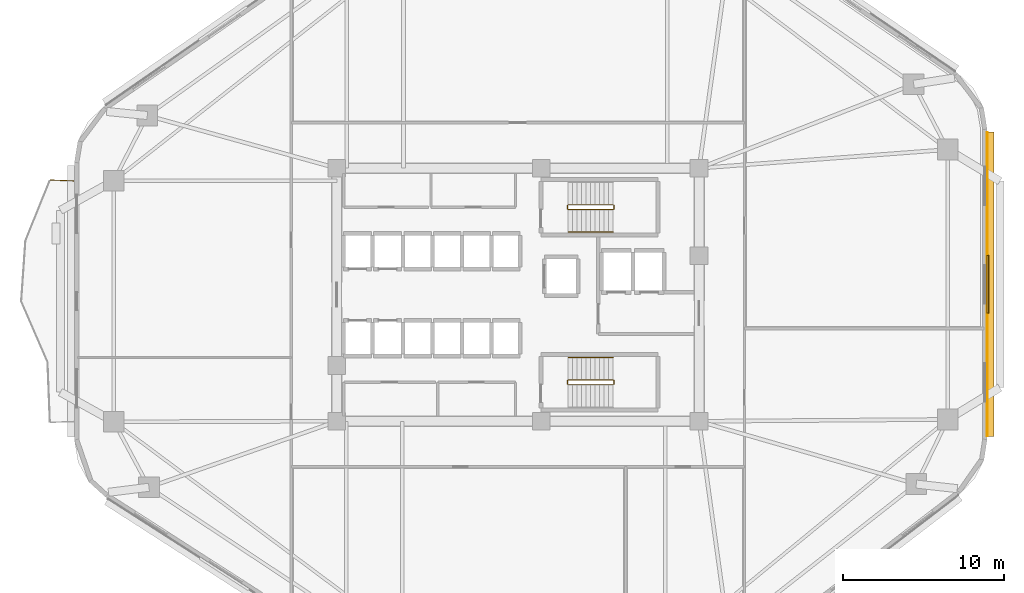
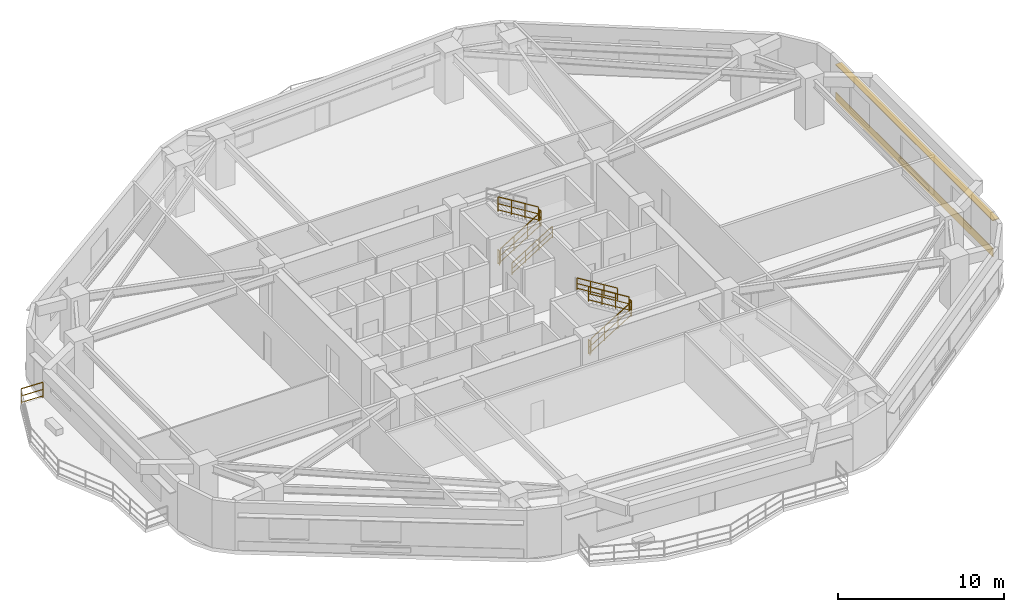
# One storey, part 8 of 9: 11 railings, 2 shading devices, 1 covering.
"""IFC4 building model written with IfcOpenShell, lengths in metres."""

from ifc_helpers import new_model, si_unit, direction, frame, origin, origin_2d, place, context, subcontext, project, spatial, rectangle, extrude, material, layer, layer_set, type_object, element, save


model = new_model("IFC4")

# Units and contexts
model_context = context("Model", 3, precision=1e-05, world=origin(), true_north=direction((0.0, 1.0)))
body_context = subcontext(model_context, "Body", "Model", "MODEL_VIEW")
ifc_project = project(units=[si_unit("LENGTHUNIT", "METRE"), si_unit("AREAUNIT", "SQUARE_METRE"), si_unit("VOLUMEUNIT", "CUBIC_METRE"), si_unit("PLANEANGLEUNIT", "RADIAN"), si_unit("MASSUNIT", "GRAM", prefix="KILO")], contexts=[model_context])

# Site, building, storey
site_placement = place(None, origin())
site = spatial("IfcSite", under=ifc_project, at=site_placement, CompositionType="ELEMENT")
building_placement = place(site_placement, origin())
building = spatial("IfcBuilding", under=site, at=building_placement, Name="Zulverin Broadcast Headquarters", CompositionType="ELEMENT")
storey_placement = place(building_placement, frame((0.0, 0.0, 74.39990234375)))
storey = spatial("IfcBuildingStorey", under=building, at=storey_placement, Name="L18", CompositionType="ELEMENT", Elevation=74.39990234375)

# Covering
ifc_material_1 = material(Name="Brushed pale-aluminium rainscreen cladding", Category="aluminium")
ifc_layer_1 = layer(ifc_material_1, 0.0400390625, Name="Brushed pale-aluminium rainscreen cladding", Category="aluminium")
ifc_layer_set_1 = layer_set([ifc_layer_1], Name="Brushed pale-aluminium rainscreen cladding")
covering_type = type_object("IfcCoveringType", Name="COV-CLAD-PALE", PredefinedType="CLADDING", material=ifc_layer_set_1)
covering_placement = place(storey_placement, frame((66.2099609375, 25.848876953125, 0.05517578125), z_axis=(0.0, 0.0, 1.0), x_axis=(0.0, 1.0, 0.0)))
element("IfcCovering", 1, at=covering_placement, inside=storey, type_object=covering_type, Name="L18 Brushed Pale-Aluminium Spandrel Cladding 3", PredefinedType="CLADDING", context=body_context, shape_type="SweptSolid", body=[
    extrude(rectangle(XDim=18.93115234375, YDim=0.0400390625, at=origin_2d()), origin(), (0.0, 0.0, 1.0), 0.64990234375),
])

# Railings
ifc_material_2 = material(Name="Brushed stainless steel & laminated glass balustrade", Category="steel")
railing_type_1 = type_object("IfcRailingType", Name="RL-GUARD-1150", PredefinedType="GUARDRAIL", material=ifc_material_2)
railing_1_placement = place(storey_placement, frame((9.360107421875, 32.284423828125, 0.0)))
element("IfcRailing", 2, at=railing_1_placement, inside=storey, type_object=railing_type_1, Name="L18 Vertical-Forest Balcony Guardrail BAL_W Segment 01", PredefinedType="GUARDRAIL", context=body_context, shape_type="SweptSolid", body=[
    extrude(rectangle(XDim=0.048095703125, YDim=0.048095703125, at=origin_2d()), frame((0.0, 0.0, 1.1259765625), z_axis=(-0.999181155166, 0.040460093435, 0.0), x_axis=(-0.040460093435, -0.999181155166, 0.0)), (0.0, 0.0, 1.0), 1.46630859375),
    extrude(rectangle(XDim=0.0419921875, YDim=0.0419921875, at=origin_2d()), frame((0.0, 0.0, 0.597900390625), z_axis=(-0.999181155166, 0.040460093435, 0.0), x_axis=(-0.040460093435, -0.999181155166, 0.0)), (0.0, 0.0, 1.0), 1.46630859375),
    extrude(rectangle(XDim=0.0419921875, YDim=0.0419921875, at=origin_2d()), frame((0.0, 0.0, 0.1201171875), z_axis=(-0.999181155166, 0.040460093435, 0.0), x_axis=(-0.040460093435, -0.999181155166, 0.0)), (0.0, 0.0, 1.0), 1.46630859375),
    extrude(rectangle(XDim=0.0419921875, YDim=0.0419921875, at=origin_2d()), origin(), (0.0, 0.0, 1.0), 1.101806640625),
    extrude(rectangle(XDim=0.0419921875, YDim=0.0419921875, at=origin_2d()), frame((-1.465087890625, 0.059326171875, 0.0)), (0.0, 0.0, 1.0), 1.101806640625),
])
ifc_material_3 = material(Name="Painted galvanized steel tubular guardrail S355JR", Category="steel")
railing_type_2 = type_object("IfcRailingType", Name="RL-ST-GUARD", PredefinedType="GUARDRAIL", material=ifc_material_3)
railing_2_placement = place(storey_placement, frame((40.1298828125, 30.5, 0.1728515625)))
element("IfcRailing", 3, at=railing_2_placement, inside=storey, type_object=railing_type_2, Name="L18 ST-1 stair guard 1", PredefinedType="GUARDRAIL", context=body_context, shape_type="SweptSolid", body=[
    extrude(rectangle(XDim=0.048095703125, YDim=0.048095703125, at=origin_2d()), frame((0.0, 0.0, 1.076171875), z_axis=(0.851089632645, 0.0, 0.525020415988), x_axis=(0.0, 1.0, 0.0)), (0.0, 0.0, 1.0), 3.2900390625),
    extrude(rectangle(XDim=0.0419921875, YDim=0.0419921875, at=origin_2d()), frame((0.0, 0.0, 0.572021484375), z_axis=(0.851089632645, 0.0, 0.525020415988), x_axis=(0.0, 1.0, 0.0)), (0.0, 0.0, 1.0), 3.2900390625),
    extrude(rectangle(XDim=0.0419921875, YDim=0.0419921875, at=origin_2d()), frame((0.0, 0.0, 0.1201171875), z_axis=(0.851089632645, 0.0, 0.525020415988), x_axis=(0.0, 1.0, 0.0)), (0.0, 0.0, 1.0), 3.2900390625),
    extrude(rectangle(XDim=0.0419921875, YDim=0.0419921875, at=origin_2d()), origin(), (0.0, 0.0, 1.0), 1.052001953125),
    extrude(rectangle(XDim=0.0419921875, YDim=0.0419921875, at=origin_2d()), frame((0.933349609375, 0.0, 0.57568359375)), (0.0, 0.0, 1.0), 1.052001953125),
    extrude(rectangle(XDim=0.0419921875, YDim=0.0419921875, at=origin_2d()), frame((1.86669921875, 0.0, 1.151611328125)), (0.0, 0.0, 1.0), 1.052001953125),
    extrude(rectangle(XDim=0.0419921875, YDim=0.0419921875, at=origin_2d()), frame((2.800048828125, 0.0, 1.727294921875)), (0.0, 0.0, 1.0), 1.052001953125),
])
railing_3_placement = place(storey_placement, frame((42.97998046875, 30.550048828125, 1.900146484375)))
element("IfcRailing", 4, at=railing_3_placement, inside=storey, type_object=railing_type_2, Name="L18 ST-1 stair guard 2", PredefinedType="GUARDRAIL", context=body_context, shape_type="SweptSolid", body=[
    extrude(rectangle(XDim=0.048095703125, YDim=0.048095703125, at=origin_2d()), frame((0.0, 0.0, 1.076171875), z_axis=(0.0, 1.0, 0.0), x_axis=(-1.0, 0.0, 0.0)), (0.0, 0.0, 1.0), 0.199951171875),
    extrude(rectangle(XDim=0.0419921875, YDim=0.0419921875, at=origin_2d()), frame((0.0, 0.0, 0.572021484375), z_axis=(0.0, 1.0, 0.0), x_axis=(-1.0, 0.0, 0.0)), (0.0, 0.0, 1.0), 0.199951171875),
    extrude(rectangle(XDim=0.0419921875, YDim=0.0419921875, at=origin_2d()), frame((0.0, 0.0, 0.1201171875), z_axis=(0.0, 1.0, 0.0), x_axis=(-1.0, 0.0, 0.0)), (0.0, 0.0, 1.0), 0.199951171875),
    extrude(rectangle(XDim=0.0419921875, YDim=0.0419921875, at=origin_2d()), origin(), (0.0, 0.0, 1.0), 1.052001953125),
    extrude(rectangle(XDim=0.0419921875, YDim=0.0419921875, at=origin_2d()), frame((0.0, 0.199951171875, 0.0)), (0.0, 0.0, 1.0), 1.052001953125),
])
railing_4_placement = place(storey_placement, frame((42.929931640625, 30.800048828125, 2.07275390625)))
element("IfcRailing", 5, at=railing_4_placement, inside=storey, type_object=railing_type_2, Name="L18 ST-1 stair guard 3", PredefinedType="GUARDRAIL", context=body_context, shape_type="SweptSolid", body=[
    extrude(rectangle(XDim=0.048095703125, YDim=0.048095703125, at=origin_2d()), frame((0.0, 0.0, 1.076171875), z_axis=(-0.851089632645, 0.0, 0.525020415988), x_axis=(0.0, -1.0, 0.0)), (0.0, 0.0, 1.0), 3.2900390625),
    extrude(rectangle(XDim=0.0419921875, YDim=0.0419921875, at=origin_2d()), frame((0.0, 0.0, 0.572021484375), z_axis=(-0.851089632645, 0.0, 0.525020415988), x_axis=(0.0, -1.0, 0.0)), (0.0, 0.0, 1.0), 3.2900390625),
    extrude(rectangle(XDim=0.0419921875, YDim=0.0419921875, at=origin_2d()), frame((0.0, 0.0, 0.1201171875), z_axis=(-0.851089632645, 0.0, 0.525020415988), x_axis=(0.0, -1.0, 0.0)), (0.0, 0.0, 1.0), 3.2900390625),
    extrude(rectangle(XDim=0.0419921875, YDim=0.0419921875, at=origin_2d()), origin(), (0.0, 0.0, 1.0), 1.052001953125),
    extrude(rectangle(XDim=0.0419921875, YDim=0.0419921875, at=origin_2d()), frame((-0.933349609375, 0.0, 0.57568359375)), (0.0, 0.0, 1.0), 1.052001953125),
    extrude(rectangle(XDim=0.0419921875, YDim=0.0419921875, at=origin_2d()), frame((-1.86669921875, 0.0, 1.151611328125)), (0.0, 0.0, 1.0), 1.052001953125),
    extrude(rectangle(XDim=0.0419921875, YDim=0.0419921875, at=origin_2d()), frame((-2.800048828125, 0.0, 1.727294921875)), (0.0, 0.0, 1.0), 1.052001953125),
])
railing_5_placement = place(storey_placement, frame((40.080078125, 30.550048828125, 0.0)))
element("IfcRailing", 6, at=railing_5_placement, inside=storey, type_object=railing_type_2, Name="L18 ST-1 stair guard 4", PredefinedType="GUARDRAIL", context=body_context, shape_type="SweptSolid", body=[
    extrude(rectangle(XDim=0.048095703125, YDim=0.048095703125, at=origin_2d()), frame((0.0, 0.0, 1.076171875), z_axis=(0.0, 1.0, 0.0), x_axis=(-1.0, 0.0, 0.0)), (0.0, 0.0, 1.0), 0.199951171875),
    extrude(rectangle(XDim=0.0419921875, YDim=0.0419921875, at=origin_2d()), frame((0.0, 0.0, 0.572021484375), z_axis=(0.0, 1.0, 0.0), x_axis=(-1.0, 0.0, 0.0)), (0.0, 0.0, 1.0), 0.199951171875),
    extrude(rectangle(XDim=0.0419921875, YDim=0.0419921875, at=origin_2d()), frame((0.0, 0.0, 0.1201171875), z_axis=(0.0, 1.0, 0.0), x_axis=(-1.0, 0.0, 0.0)), (0.0, 0.0, 1.0), 0.199951171875),
    extrude(rectangle(XDim=0.0419921875, YDim=0.0419921875, at=origin_2d()), origin(), (0.0, 0.0, 1.0), 1.052001953125),
    extrude(rectangle(XDim=0.0419921875, YDim=0.0419921875, at=origin_2d()), frame((0.0, 0.199951171875, 0.0)), (0.0, 0.0, 1.0), 1.052001953125),
])
railing_6_placement = place(storey_placement, frame((40.1298828125, 19.60009765625, 0.1728515625)))
element("IfcRailing", 7, at=railing_6_placement, inside=storey, type_object=railing_type_2, Name="L18 ST-2 stair guard 1", PredefinedType="GUARDRAIL", context=body_context, shape_type="SweptSolid", body=[
    extrude(rectangle(XDim=0.048095703125, YDim=0.048095703125, at=origin_2d()), frame((0.0, 0.0, 1.076171875), z_axis=(0.851089632645, 0.0, 0.525020415988), x_axis=(0.0, 1.0, 0.0)), (0.0, 0.0, 1.0), 3.2900390625),
    extrude(rectangle(XDim=0.0419921875, YDim=0.0419921875, at=origin_2d()), frame((0.0, 0.0, 0.572021484375), z_axis=(0.851089632645, 0.0, 0.525020415988), x_axis=(0.0, 1.0, 0.0)), (0.0, 0.0, 1.0), 3.2900390625),
    extrude(rectangle(XDim=0.0419921875, YDim=0.0419921875, at=origin_2d()), frame((0.0, 0.0, 0.1201171875), z_axis=(0.851089632645, 0.0, 0.525020415988), x_axis=(0.0, 1.0, 0.0)), (0.0, 0.0, 1.0), 3.2900390625),
    extrude(rectangle(XDim=0.0419921875, YDim=0.0419921875, at=origin_2d()), origin(), (0.0, 0.0, 1.0), 1.052001953125),
    extrude(rectangle(XDim=0.0419921875, YDim=0.0419921875, at=origin_2d()), frame((0.933349609375, 0.0, 0.57568359375)), (0.0, 0.0, 1.0), 1.052001953125),
    extrude(rectangle(XDim=0.0419921875, YDim=0.0419921875, at=origin_2d()), frame((1.86669921875, 0.0, 1.151611328125)), (0.0, 0.0, 1.0), 1.052001953125),
    extrude(rectangle(XDim=0.0419921875, YDim=0.0419921875, at=origin_2d()), frame((2.800048828125, 0.0, 1.727294921875)), (0.0, 0.0, 1.0), 1.052001953125),
])
railing_7_placement = place(storey_placement, frame((42.97998046875, 19.64990234375, 1.900146484375)))
element("IfcRailing", 8, at=railing_7_placement, inside=storey, type_object=railing_type_2, Name="L18 ST-2 stair guard 2", PredefinedType="GUARDRAIL", context=body_context, shape_type="SweptSolid", body=[
    extrude(rectangle(XDim=0.048095703125, YDim=0.048095703125, at=origin_2d()), frame((0.0, 0.0, 1.076171875), z_axis=(0.0, 1.0, 0.0), x_axis=(-1.0, 0.0, 0.0)), (0.0, 0.0, 1.0), 0.2001953125),
    extrude(rectangle(XDim=0.0419921875, YDim=0.0419921875, at=origin_2d()), frame((0.0, 0.0, 0.572021484375), z_axis=(0.0, 1.0, 0.0), x_axis=(-1.0, 0.0, 0.0)), (0.0, 0.0, 1.0), 0.2001953125),
    extrude(rectangle(XDim=0.0419921875, YDim=0.0419921875, at=origin_2d()), frame((0.0, 0.0, 0.1201171875), z_axis=(0.0, 1.0, 0.0), x_axis=(-1.0, 0.0, 0.0)), (0.0, 0.0, 1.0), 0.2001953125),
    extrude(rectangle(XDim=0.0419921875, YDim=0.0419921875, at=origin_2d()), origin(), (0.0, 0.0, 1.0), 1.052001953125),
    extrude(rectangle(XDim=0.0419921875, YDim=0.0419921875, at=origin_2d()), frame((0.0, 0.2001953125, 0.0)), (0.0, 0.0, 1.0), 1.052001953125),
])
railing_8_placement = place(storey_placement, frame((42.929931640625, 19.89990234375, 2.07275390625)))
element("IfcRailing", 9, at=railing_8_placement, inside=storey, type_object=railing_type_2, Name="L18 ST-2 stair guard 3", PredefinedType="GUARDRAIL", context=body_context, shape_type="SweptSolid", body=[
    extrude(rectangle(XDim=0.048095703125, YDim=0.048095703125, at=origin_2d()), frame((0.0, 0.0, 1.076171875), z_axis=(-0.851089632645, 0.0, 0.525020415988), x_axis=(0.0, -1.0, 0.0)), (0.0, 0.0, 1.0), 3.2900390625),
    extrude(rectangle(XDim=0.0419921875, YDim=0.0419921875, at=origin_2d()), frame((0.0, 0.0, 0.572021484375), z_axis=(-0.851089632645, 0.0, 0.525020415988), x_axis=(0.0, -1.0, 0.0)), (0.0, 0.0, 1.0), 3.2900390625),
    extrude(rectangle(XDim=0.0419921875, YDim=0.0419921875, at=origin_2d()), frame((0.0, 0.0, 0.1201171875), z_axis=(-0.851089632645, 0.0, 0.525020415988), x_axis=(0.0, -1.0, 0.0)), (0.0, 0.0, 1.0), 3.2900390625),
    extrude(rectangle(XDim=0.0419921875, YDim=0.0419921875, at=origin_2d()), origin(), (0.0, 0.0, 1.0), 1.052001953125),
    extrude(rectangle(XDim=0.0419921875, YDim=0.0419921875, at=origin_2d()), frame((-0.933349609375, 0.0, 0.57568359375)), (0.0, 0.0, 1.0), 1.052001953125),
    extrude(rectangle(XDim=0.0419921875, YDim=0.0419921875, at=origin_2d()), frame((-1.86669921875, 0.0, 1.151611328125)), (0.0, 0.0, 1.0), 1.052001953125),
    extrude(rectangle(XDim=0.0419921875, YDim=0.0419921875, at=origin_2d()), frame((-2.800048828125, 0.0, 1.727294921875)), (0.0, 0.0, 1.0), 1.052001953125),
])
railing_9_placement = place(storey_placement, frame((40.080078125, 19.64990234375, 0.0)))
element("IfcRailing", 10, at=railing_9_placement, inside=storey, type_object=railing_type_2, Name="L18 ST-2 stair guard 4", PredefinedType="GUARDRAIL", context=body_context, shape_type="SweptSolid", body=[
    extrude(rectangle(XDim=0.048095703125, YDim=0.048095703125, at=origin_2d()), frame((0.0, 0.0, 1.076171875), z_axis=(0.0, 1.0, 0.0), x_axis=(-1.0, 0.0, 0.0)), (0.0, 0.0, 1.0), 0.2001953125),
    extrude(rectangle(XDim=0.0419921875, YDim=0.0419921875, at=origin_2d()), frame((0.0, 0.0, 0.572021484375), z_axis=(0.0, 1.0, 0.0), x_axis=(-1.0, 0.0, 0.0)), (0.0, 0.0, 1.0), 0.2001953125),
    extrude(rectangle(XDim=0.0419921875, YDim=0.0419921875, at=origin_2d()), frame((0.0, 0.0, 0.1201171875), z_axis=(0.0, 1.0, 0.0), x_axis=(-1.0, 0.0, 0.0)), (0.0, 0.0, 1.0), 0.2001953125),
    extrude(rectangle(XDim=0.0419921875, YDim=0.0419921875, at=origin_2d()), origin(), (0.0, 0.0, 1.0), 1.052001953125),
    extrude(rectangle(XDim=0.0419921875, YDim=0.0419921875, at=origin_2d()), frame((0.0, 0.2001953125, 0.0)), (0.0, 0.0, 1.0), 1.052001953125),
])
ifc_material_4 = material(Name="Brushed stainless steel 48 mm handrail", Category="steel")
railing_type_3 = type_object("IfcRailingType", Name="RL-ST-HAND", PredefinedType="HANDRAIL", material=ifc_material_4)
railing_10_placement = place(storey_placement, frame((40.1298828125, 29.10009765625, 0.1728515625)))
element("IfcRailing", 11, at=railing_10_placement, inside=storey, type_object=railing_type_3, Name="L18 ST-1 stair handrail 1", PredefinedType="HANDRAIL", context=body_context, shape_type="SweptSolid", body=[
    extrude(rectangle(XDim=0.048095703125, YDim=0.048095703125, at=origin_2d()), frame((0.0, 0.0, 0.8759765625), z_axis=(0.851089632645, 0.0, 0.525020415988), x_axis=(0.0, 1.0, 0.0)), (0.0, 0.0, 1.0), 3.2900390625),
    extrude(rectangle(XDim=0.0419921875, YDim=0.0419921875, at=origin_2d()), frame((0.0, 0.0, 0.468017578125), z_axis=(0.851089632645, 0.0, 0.525020415988), x_axis=(0.0, 1.0, 0.0)), (0.0, 0.0, 1.0), 3.2900390625),
    extrude(rectangle(XDim=0.0419921875, YDim=0.0419921875, at=origin_2d()), frame((0.0, 0.0, 0.1201171875), z_axis=(0.851089632645, 0.0, 0.525020415988), x_axis=(0.0, 1.0, 0.0)), (0.0, 0.0, 1.0), 3.2900390625),
    extrude(rectangle(XDim=0.0419921875, YDim=0.0419921875, at=origin_2d()), origin(), (0.0, 0.0, 1.0), 0.851806640625),
    extrude(rectangle(XDim=0.0419921875, YDim=0.0419921875, at=origin_2d()), frame((0.933349609375, 0.0, 0.57568359375)), (0.0, 0.0, 1.0), 0.851806640625),
    extrude(rectangle(XDim=0.0419921875, YDim=0.0419921875, at=origin_2d()), frame((1.86669921875, 0.0, 1.151611328125)), (0.0, 0.0, 1.0), 0.851806640625),
    extrude(rectangle(XDim=0.0419921875, YDim=0.0419921875, at=origin_2d()), frame((2.800048828125, 0.0, 1.727294921875)), (0.0, 0.0, 1.0), 0.851806640625),
])
railing_11_placement = place(storey_placement, frame((42.929931640625, 21.300048828125, 2.07275390625)))
element("IfcRailing", 12, at=railing_11_placement, inside=storey, type_object=railing_type_3, Name="L18 ST-2 stair handrail 2", PredefinedType="HANDRAIL", context=body_context, shape_type="SweptSolid", body=[
    extrude(rectangle(XDim=0.048095703125, YDim=0.048095703125, at=origin_2d()), frame((0.0, 0.0, 0.8759765625), z_axis=(-0.851089632645, 0.0, 0.525020415988), x_axis=(0.0, -1.0, 0.0)), (0.0, 0.0, 1.0), 3.2900390625),
    extrude(rectangle(XDim=0.0419921875, YDim=0.0419921875, at=origin_2d()), frame((0.0, 0.0, 0.468017578125), z_axis=(-0.851089632645, 0.0, 0.525020415988), x_axis=(0.0, -1.0, 0.0)), (0.0, 0.0, 1.0), 3.2900390625),
    extrude(rectangle(XDim=0.0419921875, YDim=0.0419921875, at=origin_2d()), frame((0.0, 0.0, 0.1201171875), z_axis=(-0.851089632645, 0.0, 0.525020415988), x_axis=(0.0, -1.0, 0.0)), (0.0, 0.0, 1.0), 3.2900390625),
    extrude(rectangle(XDim=0.0419921875, YDim=0.0419921875, at=origin_2d()), origin(), (0.0, 0.0, 1.0), 0.851806640625),
    extrude(rectangle(XDim=0.0419921875, YDim=0.0419921875, at=origin_2d()), frame((-0.933349609375, 0.0, 0.57568359375)), (0.0, 0.0, 1.0), 0.851806640625),
    extrude(rectangle(XDim=0.0419921875, YDim=0.0419921875, at=origin_2d()), frame((-1.86669921875, 0.0, 1.151611328125)), (0.0, 0.0, 1.0), 0.851806640625),
    extrude(rectangle(XDim=0.0419921875, YDim=0.0419921875, at=origin_2d()), frame((-2.800048828125, 0.0, 1.727294921875)), (0.0, 0.0, 1.0), 0.851806640625),
])

# Shading devices
ifc_material_5 = material(Name="Anodized pale-metal aluminium acoustic louvre", Category="aluminium")
shading_device_type_1 = type_object("IfcShadingDeviceType", Name="SHD-LOUVRE-350", PredefinedType="USERDEFINED", material=ifc_material_5)
shading_device_1_placement = place(storey_placement, frame((66.239990234375, 25.848876953125, 0.2451171875), z_axis=(0.0, 0.0, 1.0), x_axis=(0.0, 1.0, 0.0)))
element("IfcShadingDevice", 13, at=shading_device_1_placement, inside=storey, type_object=shading_device_type_1, Name="L18 Spandrel Intake Louvre 3", ObjectType="LOUVRE", PredefinedType="USERDEFINED", context=body_context, shape_type="SweptSolid", body=[
    extrude(rectangle(XDim=3.60009765625, YDim=0.1201171875, at=origin_2d()), origin(), (0.0, 0.0, 1.0), 0.35009765625),
])
ifc_material_6 = material(Name="Anodized pale-metal aluminium sunshade", Category="aluminium")
ifc_layer_2 = layer(ifc_material_6, 0.06005859375, Name="Anodized pale-metal aluminium sunshade", Category="aluminium")
ifc_layer_set_2 = layer_set([ifc_layer_2], Name="Anodized pale-metal aluminium sunshade")
shading_device_type_2 = type_object("IfcShadingDeviceType", Name="SS-01_PALE_METAL_ALUMINIUM_SUNSHADE", PredefinedType="USERDEFINED", material=ifc_layer_set_2)
shading_device_2_placement = place(storey_placement, frame((66.39990234375, 25.848876953125, 2.7099609375), z_axis=(0.0, 0.0, 1.0), x_axis=(0.0, 1.0, 0.0)))
element("IfcShadingDevice", 14, at=shading_device_2_placement, inside=storey, type_object=shading_device_type_2, Name="L18 Horizontal Pale-Metal Sunshade Band 3", ObjectType="SUNSHADE", PredefinedType="USERDEFINED", context=body_context, shape_type="SweptSolid", body=[
    extrude(rectangle(XDim=18.93115234375, YDim=0.449951171875, at=origin_2d()), origin(), (0.0, 0.0, 1.0), 0.06005859375),
])

save(model, "model.ifc")
